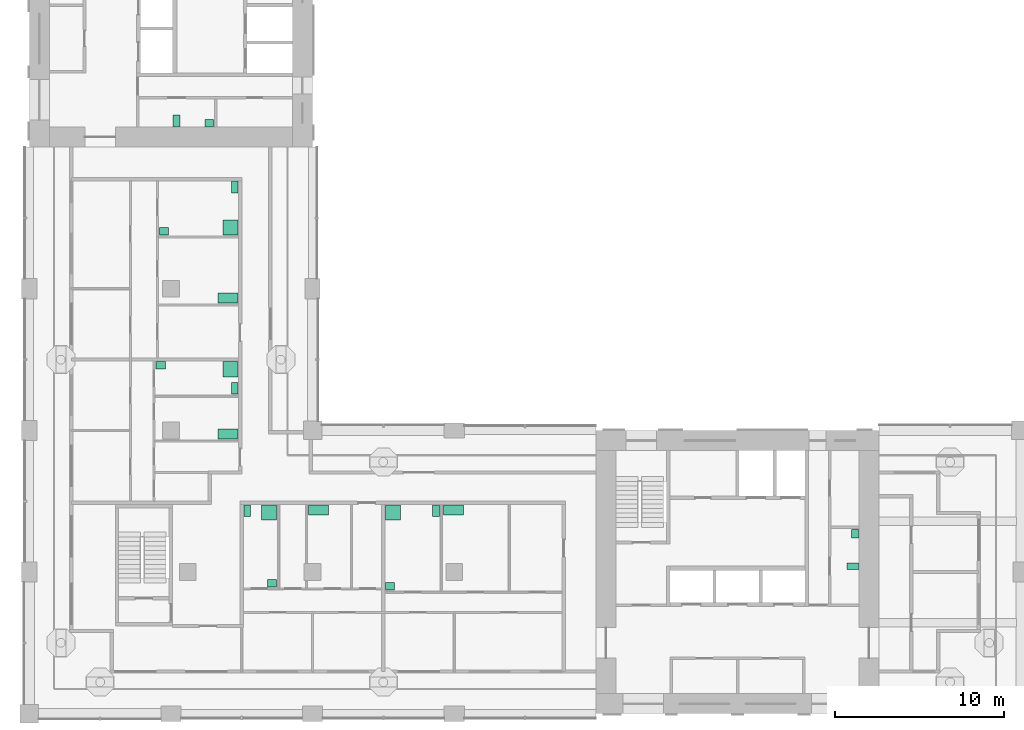
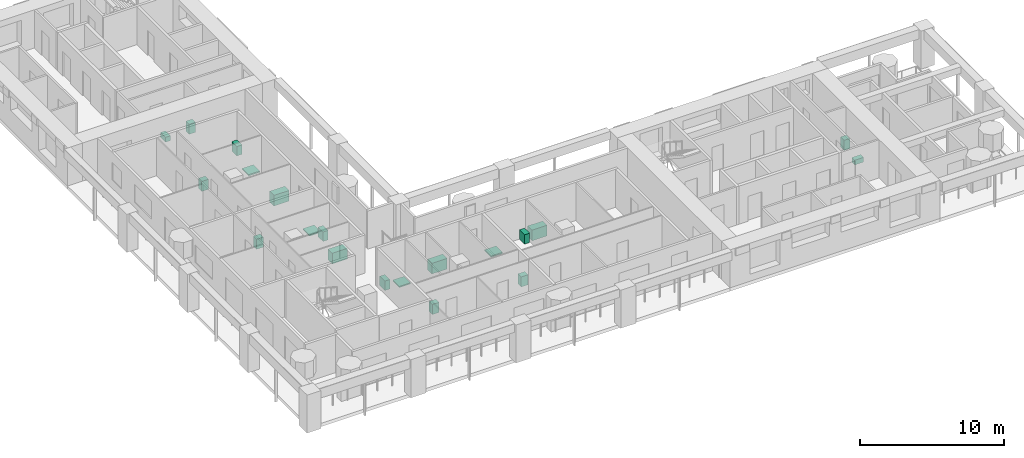
# One storey, part 11 of 13: 20 sanitary terminals.
"""IFC4 building model written with IfcOpenShell, lengths in metres."""

from ifc_helpers import new_model, si_unit, direction, frame, origin, origin_2d, place, context, subcontext, project, spatial, rectangle, extrude, material, element, save


model = new_model("IFC4")

# Units and contexts
model_context = context("Model", 3, precision=1e-05, world=origin(), true_north=direction((0.0, 1.0)))
body_context = subcontext(model_context, "Body", "Model", "MODEL_VIEW")
ifc_project = project(units=[si_unit("LENGTHUNIT", "METRE"), si_unit("AREAUNIT", "SQUARE_METRE"), si_unit("VOLUMEUNIT", "CUBIC_METRE"), si_unit("PLANEANGLEUNIT", "RADIAN"), si_unit("MASSUNIT", "GRAM", prefix="KILO")], contexts=[model_context])

# Site, building, storey
site_placement = place(None, origin())
site = spatial("IfcSite", under=ifc_project, at=site_placement, CompositionType="ELEMENT")
building_placement = place(site_placement, origin())
building = spatial("IfcBuilding", under=site, at=building_placement, Name="Vermilion Gate Residences", CompositionType="ELEMENT")
storey_placement = place(building_placement, frame((0.0, 0.0, 186.199951171875)))
storey = spatial("IfcBuildingStorey", under=building, at=storey_placement, Name="L48", CompositionType="ELEMENT", Elevation=186.199951171875)

# Sanitary terminals
ifc_material_1 = material(Name="Vitreous china")
sanitary_terminal_1_placement = place(storey_placement, frame((57.25, 17.137451171875, 0.0), z_axis=(0.0, 0.0, 1.0), x_axis=(1.0, 0.0, 0.0)))
element("IfcSanitaryTerminal", 1, at=sanitary_terminal_1_placement, inside=storey, material=ifc_material_1, Name="Toilet pan A48", PredefinedType="TOILETPAN", context=body_context, shape_type="SweptSolid", body=[
    extrude(rectangle(XDim=0.699951171875, YDim=0.39990234375, at=origin_2d()), origin(), (0.0, 0.0, 1.0), 0.39990234375),
])
sanitary_terminal_2_placement = place(storey_placement, frame((57.375, 19.074951171875, 0.0), z_axis=(0.0, 0.0, 1.0), x_axis=(1.0, 0.0, 0.0)))
element("IfcSanitaryTerminal", 2, at=sanitary_terminal_2_placement, inside=storey, material=ifc_material_1, Name="Washbasin A48", PredefinedType="WASHHANDBASIN", context=body_context, shape_type="SweptSolid", body=[
    extrude(rectangle(XDim=0.449951171875, YDim=0.5, at=origin_2d()), origin(), (0.0, 0.0, 1.0), 0.85009765625),
])
sanitary_terminal_3_placement = place(storey_placement, frame((17.137451171875, 43.550048828125, 0.0), z_axis=(0.0, 0.0, 1.0), x_axis=(1.0, 0.0, 0.0)))
element("IfcSanitaryTerminal", 3, at=sanitary_terminal_3_placement, inside=storey, material=ifc_material_1, Name="Toilet pan B48", PredefinedType="TOILETPAN", context=body_context, shape_type="SweptSolid", body=[
    extrude(rectangle(XDim=0.39990234375, YDim=0.699951171875, at=origin_2d()), origin(), (0.0, 0.0, 1.0), 0.39990234375),
])
sanitary_terminal_4_placement = place(storey_placement, frame((19.074951171875, 43.425048828125, 0.0), z_axis=(0.0, 0.0, 1.0), x_axis=(1.0, 0.0, 0.0)))
element("IfcSanitaryTerminal", 4, at=sanitary_terminal_4_placement, inside=storey, material=ifc_material_1, Name="Washbasin B48", PredefinedType="WASHHANDBASIN", context=body_context, shape_type="SweptSolid", body=[
    extrude(rectangle(XDim=0.5, YDim=0.449951171875, at=origin_2d()), origin(), (0.0, 0.0, 1.0), 0.85009765625),
])
sanitary_terminal_5_placement = place(storey_placement, frame((22.6201171875, 20.330078125, 0.0), z_axis=(0.0, 0.0, 1.0), x_axis=(1.0, 0.0, 0.0)))
element("IfcSanitaryTerminal", 5, at=sanitary_terminal_5_placement, inside=storey, material=ifc_material_1, Name="Shower tray", PredefinedType="SHOWER", context=body_context, shape_type="SweptSolid", body=[
    extrude(rectangle(XDim=0.89990234375, YDim=0.89990234375, at=origin_2d()), origin(), (0.0, 0.0, 1.0), 0.10009765625),
])
sanitary_terminal_6_placement = place(storey_placement, frame((21.320068359375, 20.429931640625, 0.0), z_axis=(0.0, 0.0, 1.0), x_axis=(1.0, 0.0, 0.0)))
element("IfcSanitaryTerminal", 6, at=sanitary_terminal_6_placement, inside=storey, material=ifc_material_1, Name="Toilet", PredefinedType="TOILETPAN", context=body_context, shape_type="SweptSolid", body=[
    extrude(rectangle(XDim=0.39990234375, YDim=0.699951171875, at=origin_2d()), origin(), (0.0, 0.0, 1.0), 0.800048828125),
])
sanitary_terminal_7_placement = place(storey_placement, frame((22.794921875, 16.14501953125, 0.0), z_axis=(0.0, 0.0, 1.0), x_axis=(1.0, 0.0, 0.0)))
element("IfcSanitaryTerminal", 7, at=sanitary_terminal_7_placement, inside=storey, material=ifc_material_1, Name="Wash basin", PredefinedType="WASHHANDBASIN", context=body_context, shape_type="SweptSolid", body=[
    extrude(rectangle(XDim=0.550048828125, YDim=0.449951171875, at=origin_2d()), origin(), (0.0, 0.0, 1.0), 0.85009765625),
])
ifc_material_2 = material(Name="Stainless steel", Category="steel")
sanitary_terminal_8_placement = place(storey_placement, frame((25.552001953125, 20.47998046875, 0.0), z_axis=(0.0, 0.0, 1.0), x_axis=(1.0, 0.0, 0.0)))
element("IfcSanitaryTerminal", 8, at=sanitary_terminal_8_placement, inside=storey, material=ifc_material_2, Name="Kitchen sink", PredefinedType="SINK", context=body_context, shape_type="SweptSolid", body=[
    extrude(rectangle(XDim=1.199951171875, YDim=0.60009765625, at=origin_2d()), origin(), (0.0, 0.0, 1.0), 0.89990234375),
])
sanitary_terminal_9_placement = place(storey_placement, frame((29.969970703125, 20.330078125, 0.0), z_axis=(0.0, 0.0, 1.0), x_axis=(1.0, 0.0, 0.0)))
element("IfcSanitaryTerminal", 9, at=sanitary_terminal_9_placement, inside=storey, material=ifc_material_1, Name="Shower tray", PredefinedType="SHOWER", context=body_context, shape_type="SweptSolid", body=[
    extrude(rectangle(XDim=0.89990234375, YDim=0.89990234375, at=origin_2d()), origin(), (0.0, 0.0, 1.0), 0.10009765625),
])
sanitary_terminal_10_placement = place(storey_placement, frame((32.512939453125, 20.429931640625, 0.0), z_axis=(0.0, 0.0, 1.0), x_axis=(1.0, 0.0, 0.0)))
element("IfcSanitaryTerminal", 10, at=sanitary_terminal_10_placement, inside=storey, material=ifc_material_1, Name="Toilet", PredefinedType="TOILETPAN", context=body_context, shape_type="SweptSolid", body=[
    extrude(rectangle(XDim=0.39990234375, YDim=0.699951171875, at=origin_2d()), origin(), (0.0, 0.0, 1.0), 0.800048828125),
])
sanitary_terminal_11_placement = place(storey_placement, frame((29.794921875, 15.945068359375, 0.0), z_axis=(0.0, 0.0, 1.0), x_axis=(1.0, 0.0, 0.0)))
element("IfcSanitaryTerminal", 11, at=sanitary_terminal_11_placement, inside=storey, material=ifc_material_1, Name="Wash basin", PredefinedType="WASHHANDBASIN", context=body_context, shape_type="SweptSolid", body=[
    extrude(rectangle(XDim=0.550048828125, YDim=0.449951171875, at=origin_2d()), origin(), (0.0, 0.0, 1.0), 0.85009765625),
])
for number, where, z_axis, x_axis, name in (
    (12, (33.552978515625, 20.47998046875, 0.0), (0.0, 0.0, 1.0), (1.0, 0.0, 0.0), "Kitchen sink"),
    (13, (20.179931640625, 24.98291015625, 0.0), (0.0, 0.0, 1.0), (1.0, 0.0, 0.0), "Kitchen sink"),
):
    element("IfcSanitaryTerminal", number, at=place(storey_placement, frame(where, z_axis=z_axis, x_axis=x_axis)), inside=storey, material=ifc_material_2, Name=name, PredefinedType="SINK", context=body_context, shape_type="SweptSolid", body=[
        extrude(rectangle(XDim=1.199951171875, YDim=0.60009765625, at=origin_2d()), origin(), (0.0, 0.0, 1.0), 0.89990234375),
    ])
sanitary_terminal_12_placement = place(storey_placement, frame((20.330078125, 28.830078125, 0.0), z_axis=(0.0, 0.0, 1.0), x_axis=(1.0, 0.0, 0.0)))
element("IfcSanitaryTerminal", 14, at=sanitary_terminal_12_placement, inside=storey, material=ifc_material_1, Name="Shower tray", PredefinedType="SHOWER", context=body_context, shape_type="SweptSolid", body=[
    extrude(rectangle(XDim=0.89990234375, YDim=0.89990234375, at=origin_2d()), origin(), (0.0, 0.0, 1.0), 0.10009765625),
])
sanitary_terminal_13_placement = place(storey_placement, frame((20.580078125, 27.695068359375, 0.0), z_axis=(0.0, 0.0, 1.0), x_axis=(1.0, 0.0, 0.0)))
element("IfcSanitaryTerminal", 15, at=sanitary_terminal_13_placement, inside=storey, material=ifc_material_1, Name="Toilet", PredefinedType="TOILETPAN", context=body_context, shape_type="SweptSolid", body=[
    extrude(rectangle(XDim=0.39990234375, YDim=0.699951171875, at=origin_2d()), origin(), (0.0, 0.0, 1.0), 0.800048828125),
])
sanitary_terminal_14_placement = place(storey_placement, frame((16.195068359375, 29.054931640625, 0.0), z_axis=(0.0, 0.0, 1.0), x_axis=(1.0, 0.0, 0.0)))
element("IfcSanitaryTerminal", 16, at=sanitary_terminal_14_placement, inside=storey, material=ifc_material_1, Name="Wash basin", PredefinedType="WASHHANDBASIN", context=body_context, shape_type="SweptSolid", body=[
    extrude(rectangle(XDim=0.550048828125, YDim=0.449951171875, at=origin_2d()), origin(), (0.0, 0.0, 1.0), 0.85009765625),
])
sanitary_terminal_15_placement = place(storey_placement, frame((20.179931640625, 33.052978515625, 0.0), z_axis=(0.0, 0.0, 1.0), x_axis=(1.0, 0.0, 0.0)))
element("IfcSanitaryTerminal", 17, at=sanitary_terminal_15_placement, inside=storey, material=ifc_material_2, Name="Kitchen sink", PredefinedType="SINK", context=body_context, shape_type="SweptSolid", body=[
    extrude(rectangle(XDim=1.199951171875, YDim=0.60009765625, at=origin_2d()), origin(), (0.0, 0.0, 1.0), 0.89990234375),
])
sanitary_terminal_16_placement = place(storey_placement, frame((20.330078125, 37.237060546875, 0.0), z_axis=(0.0, 0.0, 1.0), x_axis=(1.0, 0.0, 0.0)))
element("IfcSanitaryTerminal", 18, at=sanitary_terminal_16_placement, inside=storey, material=ifc_material_1, Name="Shower tray", PredefinedType="SHOWER", context=body_context, shape_type="SweptSolid", body=[
    extrude(rectangle(XDim=0.89990234375, YDim=0.89990234375, at=origin_2d()), origin(), (0.0, 0.0, 1.0), 0.10009765625),
])
sanitary_terminal_17_placement = place(storey_placement, frame((20.580078125, 39.6298828125, 0.0), z_axis=(0.0, 0.0, 1.0), x_axis=(1.0, 0.0, 0.0)))
element("IfcSanitaryTerminal", 19, at=sanitary_terminal_17_placement, inside=storey, material=ifc_material_1, Name="Toilet", PredefinedType="TOILETPAN", context=body_context, shape_type="SweptSolid", body=[
    extrude(rectangle(XDim=0.39990234375, YDim=0.699951171875, at=origin_2d()), origin(), (0.0, 0.0, 1.0), 0.800048828125),
])
sanitary_terminal_18_placement = place(storey_placement, frame((16.39501953125, 37.011962890625, 0.0), z_axis=(0.0, 0.0, 1.0), x_axis=(1.0, 0.0, 0.0)))
element("IfcSanitaryTerminal", 20, at=sanitary_terminal_18_placement, inside=storey, material=ifc_material_1, Name="Wash basin", PredefinedType="WASHHANDBASIN", context=body_context, shape_type="SweptSolid", body=[
    extrude(rectangle(XDim=0.550048828125, YDim=0.449951171875, at=origin_2d()), origin(), (0.0, 0.0, 1.0), 0.85009765625),
])

save(model, "model.ifc")
